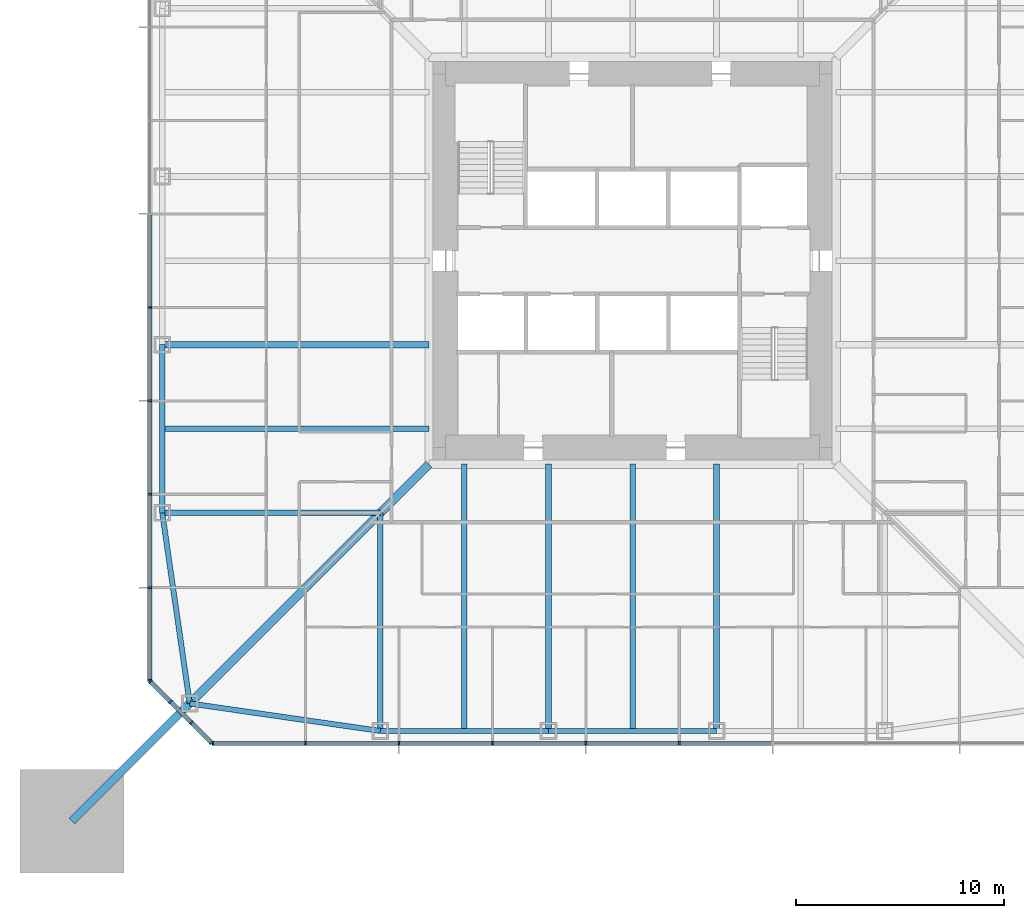
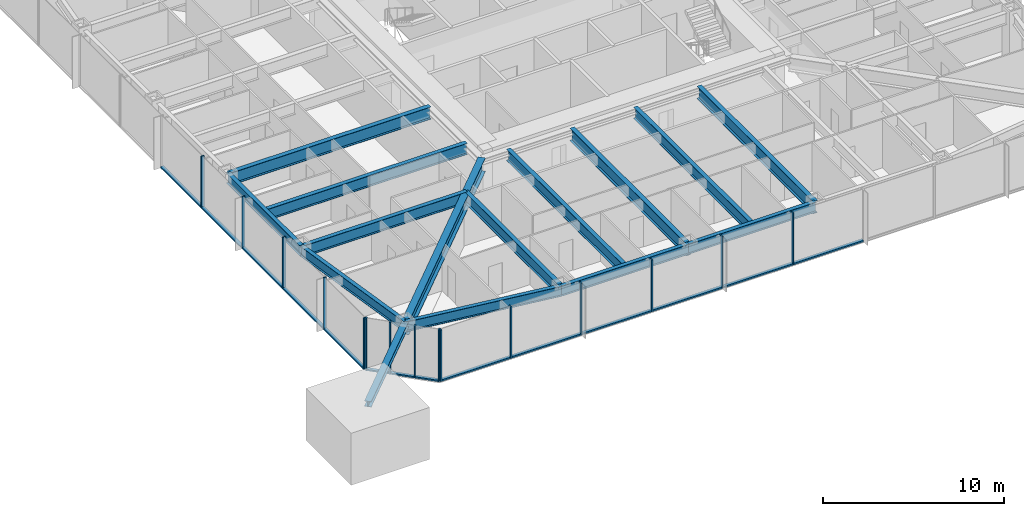
# One storey, part 3 of 26: 30 members, 14 beams, 3 elements without a shape of their own.
"""IFC4 building model written with IfcOpenShell, lengths in metres."""

from ifc_helpers import new_model, si_unit, direction, frame, origin, origin_2d, place, context, subcontext, project, spatial, rectangle, i_section, extrude, material, material_profile, profile_set, type_object, element, aggregate, save


model = new_model("IFC4")

# Units and contexts
model_context = context("Model", 3, precision=1e-05, world=origin(), true_north=direction((0.0, 1.0)))
body_context = subcontext(model_context, "Body", "Model", "MODEL_VIEW")
ifc_project = project(units=[si_unit("LENGTHUNIT", "METRE"), si_unit("AREAUNIT", "SQUARE_METRE"), si_unit("VOLUMEUNIT", "CUBIC_METRE"), si_unit("PLANEANGLEUNIT", "RADIAN"), si_unit("MASSUNIT", "GRAM", prefix="KILO")], contexts=[model_context])

# Site, building, storey
site_placement = place(None, origin())
site = spatial("IfcSite", under=ifc_project, at=site_placement, CompositionType="ELEMENT")
building_placement = place(site_placement, origin())
building = spatial("IfcBuilding", under=site, at=building_placement, Name="Iwan Alto Co-Living Towers", CompositionType="ELEMENT")
storey_placement = place(building_placement, frame((0.0, 0.0, 22.0)))
storey = spatial("IfcBuildingStorey", under=building, at=storey_placement, Name="L05", CompositionType="ELEMENT", Elevation=22.0)

# Curtain wall, members
ifc_material_1 = material(Name="Bronze aluminium unitised frame", Category="aluminium")
curtain_wall_type_1 = type_object("IfcCurtainWallType", Name="CURTAIN WALL CW-A", PredefinedType="NOTDEFINED", material=ifc_material_1)
curtain_wall_1_placement = place(storey_placement, origin())
curtain_wall_1 = element("IfcCurtainWall", 1, at=curtain_wall_1_placement, inside=storey, type_object=curtain_wall_type_1, Name="T1 curtain wall S L05", PredefinedType="NOTDEFINED")
ifc_material_2 = material(Name="Aluminium 6063-T6 bronze anodised", Category="aluminium")
ifc_material_profile_1 = material_profile(ifc_material_2, rectangle(XDim=0.199951171875, YDim=0.080078125, at=origin_2d()), Name="AL 80X200")
ifc_profile_set_1 = profile_set([ifc_material_profile_1], Name="Aluminium 6063-T6 bronze anodised")
member_type_1 = type_object("IfcMemberType", Name="CW-A MULLION 80X200", PredefinedType="MULLION", material=ifc_profile_set_1)
member_1_placement = place(storey_placement, frame((-20.2099609375, -23.25, 0.0), z_axis=(0.0, 0.0, 1.0), x_axis=(0.0, 1.0, 0.0)))
member_1 = element("IfcMember", 2, at=member_1_placement, type_object=member_type_1, Name="CW-A mullion 1", PredefinedType="MULLION", context=body_context, shape_type="SweptSolid", body=[
    extrude(rectangle(XDim=0.199951171875, YDim=0.080078125, at=origin_2d()), origin(), (0.0, 0.0, 1.0), 3.5),
])
member_2_placement = place(storey_placement, frame((-15.75, -23.25, 0.0), z_axis=(0.0, 0.0, 1.0), x_axis=(0.0, 1.0, 0.0)))
member_2 = element("IfcMember", 3, at=member_2_placement, type_object=member_type_1, Name="CW-A mullion 2", PredefinedType="MULLION", context=body_context, shape_type="SweptSolid", body=[
    extrude(rectangle(XDim=0.199951171875, YDim=0.080078125, at=origin_2d()), origin(), (0.0, 0.0, 1.0), 3.5),
])
member_3_placement = place(storey_placement, frame((-11.25, -23.25, 0.0), z_axis=(0.0, 0.0, 1.0), x_axis=(0.0, 1.0, 0.0)))
member_3 = element("IfcMember", 4, at=member_3_placement, type_object=member_type_1, Name="CW-A mullion 3", PredefinedType="MULLION", context=body_context, shape_type="SweptSolid", body=[
    extrude(rectangle(XDim=0.199951171875, YDim=0.080078125, at=origin_2d()), origin(), (0.0, 0.0, 1.0), 3.5),
])
member_4_placement = place(storey_placement, frame((-6.75, -23.25, 0.0), z_axis=(0.0, 0.0, 1.0), x_axis=(0.0, 1.0, 0.0)))
member_4 = element("IfcMember", 5, at=member_4_placement, type_object=member_type_1, Name="CW-A mullion 4", PredefinedType="MULLION", context=body_context, shape_type="SweptSolid", body=[
    extrude(rectangle(XDim=0.199951171875, YDim=0.080078125, at=origin_2d()), origin(), (0.0, 0.0, 1.0), 3.5),
])
member_5_placement = place(storey_placement, frame((-2.25, -23.25, 0.0), z_axis=(0.0, 0.0, 1.0), x_axis=(0.0, 1.0, 0.0)))
member_5 = element("IfcMember", 6, at=member_5_placement, type_object=member_type_1, Name="CW-A mullion 5", PredefinedType="MULLION", context=body_context, shape_type="SweptSolid", body=[
    extrude(rectangle(XDim=0.199951171875, YDim=0.080078125, at=origin_2d()), origin(), (0.0, 0.0, 1.0), 3.5),
])
member_6_placement = place(storey_placement, frame((2.25, -23.25, 0.0), z_axis=(0.0, 0.0, 1.0), x_axis=(0.0, 1.0, 0.0)))
member_6 = element("IfcMember", 7, at=member_6_placement, type_object=member_type_1, Name="CW-A mullion 6", PredefinedType="MULLION", context=body_context, shape_type="SweptSolid", body=[
    extrude(rectangle(XDim=0.199951171875, YDim=0.080078125, at=origin_2d()), origin(), (0.0, 0.0, 1.0), 3.5),
])

curtain_wall_2_placement = place(storey_placement, origin())
curtain_wall_2 = element("IfcCurtainWall", 8, at=curtain_wall_2_placement, inside=storey, type_object=curtain_wall_type_1, Name="T1 curtain wall W L05", PredefinedType="NOTDEFINED")
member_7_placement = place(storey_placement, frame((-23.25, -2.25, 0.0), z_axis=(0.0, 0.0, 1.0), x_axis=(1.0, 0.0, 0.0)))
member_7 = element("IfcMember", 9, at=member_7_placement, type_object=member_type_1, Name="CW-A mullion 6", PredefinedType="MULLION", context=body_context, shape_type="SweptSolid", body=[
    extrude(rectangle(XDim=0.199951171875, YDim=0.080078125, at=origin_2d()), origin(), (0.0, 0.0, 1.0), 3.5),
])
member_8_placement = place(storey_placement, frame((-23.25, -6.75, 0.0), z_axis=(0.0, 0.0, 1.0), x_axis=(1.0, 0.0, 0.0)))
member_8 = element("IfcMember", 10, at=member_8_placement, type_object=member_type_1, Name="CW-A mullion 7", PredefinedType="MULLION", context=body_context, shape_type="SweptSolid", body=[
    extrude(rectangle(XDim=0.199951171875, YDim=0.080078125, at=origin_2d()), origin(), (0.0, 0.0, 1.0), 3.5),
])
member_9_placement = place(storey_placement, frame((-23.25, -11.25, 0.0), z_axis=(0.0, 0.0, 1.0), x_axis=(1.0, 0.0, 0.0)))
member_9 = element("IfcMember", 11, at=member_9_placement, type_object=member_type_1, Name="CW-A mullion 8", PredefinedType="MULLION", context=body_context, shape_type="SweptSolid", body=[
    extrude(rectangle(XDim=0.199951171875, YDim=0.080078125, at=origin_2d()), origin(), (0.0, 0.0, 1.0), 3.5),
])
member_10_placement = place(storey_placement, frame((-23.25, -15.75, 0.0), z_axis=(0.0, 0.0, 1.0), x_axis=(1.0, 0.0, 0.0)))
member_10 = element("IfcMember", 12, at=member_10_placement, type_object=member_type_1, Name="CW-A mullion 9", PredefinedType="MULLION", context=body_context, shape_type="SweptSolid", body=[
    extrude(rectangle(XDim=0.199951171875, YDim=0.080078125, at=origin_2d()), origin(), (0.0, 0.0, 1.0), 3.5),
])
member_11_placement = place(storey_placement, frame((-23.25, -20.2099609375, 0.0), z_axis=(0.0, 0.0, 1.0), x_axis=(1.0, 0.0, 0.0)))
member_11 = element("IfcMember", 13, at=member_11_placement, type_object=member_type_1, Name="CW-A mullion 10", PredefinedType="MULLION", context=body_context, shape_type="SweptSolid", body=[
    extrude(rectangle(XDim=0.199951171875, YDim=0.080078125, at=origin_2d()), origin(), (0.0, 0.0, 1.0), 3.5),
])

# Member
ifc_material_3 = material(Name="Aluminium 6063-T6 bronze anodised", Category="aluminium")
ifc_material_profile_2 = material_profile(ifc_material_3, rectangle(XDim=0.199951171875, YDim=0.10009765625, at=origin_2d()), Name="AL 200X100")
ifc_profile_set_2 = profile_set([ifc_material_profile_2], Name="Aluminium 6063-T6 bronze anodised")
member_type_2 = type_object("IfcMemberType", Name="CW-A TRANSOM 200X100", PredefinedType="USERDEFINED", material=ifc_profile_set_2)
member_12_placement = place(storey_placement, frame((-20.169921875, -23.25, 0.050048828125), z_axis=(1.0, 0.0, 0.0), x_axis=(0.0, 1.0, 0.0)))
member_12 = element("IfcMember", 14, at=member_12_placement, type_object=member_type_2, Name="CW-A transom 1.1", ObjectType="TRANSOM", PredefinedType="USERDEFINED", context=body_context, shape_type="SweptSolid", body=[
    extrude(rectangle(XDim=0.199951171875, YDim=0.10009765625, at=origin_2d()), origin(), (0.0, 0.0, 1.0), 4.3798828125),
])

member_13_placement = place(storey_placement, frame((-15.7099609375, -23.25, 0.050048828125), z_axis=(1.0, 0.0, 0.0), x_axis=(0.0, 1.0, 0.0)))
member_13 = element("IfcMember", 15, at=member_13_placement, type_object=member_type_2, Name="CW-A transom 2.1", ObjectType="TRANSOM", PredefinedType="USERDEFINED", context=body_context, shape_type="SweptSolid", body=[
    extrude(rectangle(XDim=0.199951171875, YDim=0.10009765625, at=origin_2d()), origin(), (0.0, 0.0, 1.0), 4.419921875),
])

member_14_placement = place(storey_placement, frame((-11.2099609375, -23.25, 0.050048828125), z_axis=(1.0, 0.0, 0.0), x_axis=(0.0, 1.0, 0.0)))
member_14 = element("IfcMember", 16, at=member_14_placement, type_object=member_type_2, Name="CW-A transom 3.1", ObjectType="TRANSOM", PredefinedType="USERDEFINED", context=body_context, shape_type="SweptSolid", body=[
    extrude(rectangle(XDim=0.199951171875, YDim=0.10009765625, at=origin_2d()), origin(), (0.0, 0.0, 1.0), 4.419921875),
])

member_15_placement = place(storey_placement, frame((-6.7099609375, -23.25, 0.050048828125), z_axis=(1.0, 0.0, 0.0), x_axis=(0.0, 1.0, 0.0)))
member_15 = element("IfcMember", 17, at=member_15_placement, type_object=member_type_2, Name="CW-A transom 4.1", ObjectType="TRANSOM", PredefinedType="USERDEFINED", context=body_context, shape_type="SweptSolid", body=[
    extrude(rectangle(XDim=0.199951171875, YDim=0.10009765625, at=origin_2d()), origin(), (0.0, 0.0, 1.0), 4.419921875),
])

member_16_placement = place(storey_placement, frame((-2.2099609375, -23.25, 0.050048828125), z_axis=(1.0, 0.0, 0.0), x_axis=(0.0, 1.0, 0.0)))
member_16 = element("IfcMember", 18, at=member_16_placement, type_object=member_type_2, Name="CW-A transom 5.1", ObjectType="TRANSOM", PredefinedType="USERDEFINED", context=body_context, shape_type="SweptSolid", body=[
    extrude(rectangle(XDim=0.199951171875, YDim=0.10009765625, at=origin_2d()), origin(), (0.0, 0.0, 1.0), 4.419921875),
])

member_17_placement = place(storey_placement, frame((2.2900390625, -23.25, 0.050048828125), z_axis=(1.0, 0.0, 0.0), x_axis=(0.0, 1.0, 0.0)))
member_17 = element("IfcMember", 19, at=member_17_placement, type_object=member_type_2, Name="CW-A transom 6.1", ObjectType="TRANSOM", PredefinedType="USERDEFINED", context=body_context, shape_type="SweptSolid", body=[
    extrude(rectangle(XDim=0.199951171875, YDim=0.10009765625, at=origin_2d()), origin(), (0.0, 0.0, 1.0), 4.419921875),
])

aggregate(curtain_wall_1, [member_1, member_2, member_3, member_4, member_5, member_6, member_12, member_13, member_14, member_15, member_16, member_17])

member_18_placement = place(storey_placement, frame((-23.25, 2.2099609375, 0.050048828125), z_axis=(0.0, -1.0, 0.0), x_axis=(1.0, 0.0, 0.0)))
member_18 = element("IfcMember", 20, at=member_18_placement, type_object=member_type_2, Name="CW-A transom 5.1", ObjectType="TRANSOM", PredefinedType="USERDEFINED", context=body_context, shape_type="SweptSolid", body=[
    extrude(rectangle(XDim=0.199951171875, YDim=0.10009765625, at=origin_2d()), origin(), (0.0, 0.0, 1.0), 4.419921875),
])

member_19_placement = place(storey_placement, frame((-23.25, -2.2900390625, 0.050048828125), z_axis=(0.0, -1.0, 0.0), x_axis=(1.0, 0.0, 0.0)))
member_19 = element("IfcMember", 21, at=member_19_placement, type_object=member_type_2, Name="CW-A transom 6.1", ObjectType="TRANSOM", PredefinedType="USERDEFINED", context=body_context, shape_type="SweptSolid", body=[
    extrude(rectangle(XDim=0.199951171875, YDim=0.10009765625, at=origin_2d()), origin(), (0.0, 0.0, 1.0), 4.419921875),
])

member_20_placement = place(storey_placement, frame((-23.25, -6.7900390625, 0.050048828125), z_axis=(0.0, -1.0, 0.0), x_axis=(1.0, 0.0, 0.0)))
member_20 = element("IfcMember", 22, at=member_20_placement, type_object=member_type_2, Name="CW-A transom 7.1", ObjectType="TRANSOM", PredefinedType="USERDEFINED", context=body_context, shape_type="SweptSolid", body=[
    extrude(rectangle(XDim=0.199951171875, YDim=0.10009765625, at=origin_2d()), origin(), (0.0, 0.0, 1.0), 4.419921875),
])

member_21_placement = place(storey_placement, frame((-23.25, -11.2900390625, 0.050048828125), z_axis=(0.0, -1.0, 0.0), x_axis=(1.0, 0.0, 0.0)))
member_21 = element("IfcMember", 23, at=member_21_placement, type_object=member_type_2, Name="CW-A transom 8.1", ObjectType="TRANSOM", PredefinedType="USERDEFINED", context=body_context, shape_type="SweptSolid", body=[
    extrude(rectangle(XDim=0.199951171875, YDim=0.10009765625, at=origin_2d()), origin(), (0.0, 0.0, 1.0), 4.419921875),
])

member_22_placement = place(storey_placement, frame((-23.25, -15.7900390625, 0.050048828125), z_axis=(0.0, -1.0, 0.0), x_axis=(1.0, 0.0, 0.0)))
member_22 = element("IfcMember", 24, at=member_22_placement, type_object=member_type_2, Name="CW-A transom 9.1", ObjectType="TRANSOM", PredefinedType="USERDEFINED", context=body_context, shape_type="SweptSolid", body=[
    extrude(rectangle(XDim=0.199951171875, YDim=0.10009765625, at=origin_2d()), origin(), (0.0, 0.0, 1.0), 4.3798828125),
])

aggregate(curtain_wall_2, [member_7, member_8, member_9, member_10, member_11, member_18, member_19, member_20, member_21, member_22])

# Curtain wall, members
ifc_material_4 = material(Name="Bronze aluminium unitised frame", Category="aluminium")
curtain_wall_type_2 = type_object("IfcCurtainWallType", Name="CURTAIN WALL CW-B", PredefinedType="NOTDEFINED", material=ifc_material_4)
curtain_wall_3_placement = place(storey_placement, origin())
curtain_wall_3 = element("IfcCurtainWall", 25, at=curtain_wall_3_placement, inside=storey, type_object=curtain_wall_type_2, Name="T1 chamfer curtain wall SW L05", PredefinedType="NOTDEFINED")
ifc_material_5 = material(Name="Aluminium 6063-T6 bronze anodised", Category="aluminium")
ifc_material_profile_3 = material_profile(ifc_material_5, rectangle(XDim=0.199951171875, YDim=0.080078125, at=origin_2d()), Name="AL 80X200")
ifc_profile_set_3 = profile_set([ifc_material_profile_3], Name="Aluminium 6063-T6 bronze anodised")
member_type_3 = type_object("IfcMemberType", Name="CW-B MULLION 80X200", PredefinedType="MULLION", material=ifc_profile_set_3)
member_23_placement = place(storey_placement, frame((-23.2216796875, -20.2783203125, 0.0), z_axis=(0.0, 0.0, 1.0), x_axis=(0.707106781187, 0.707106781187, 0.0)))
member_23 = element("IfcMember", 26, at=member_23_placement, type_object=member_type_3, Name="CW-B mullion 1", PredefinedType="MULLION", context=body_context, shape_type="SweptSolid", body=[
    extrude(rectangle(XDim=0.199951171875, YDim=0.080078125, at=origin_2d()), origin(), (0.0, 0.0, 1.0), 3.5),
])
member_24_placement = place(storey_placement, frame((-22.25, -21.25, 0.0), z_axis=(0.0, 0.0, 1.0), x_axis=(0.707106781187, 0.707106781187, 0.0)))
member_24 = element("IfcMember", 27, at=member_24_placement, type_object=member_type_3, Name="CW-B mullion 2", PredefinedType="MULLION", context=body_context, shape_type="SweptSolid", body=[
    extrude(rectangle(XDim=0.199951171875, YDim=0.080078125, at=origin_2d()), origin(), (0.0, 0.0, 1.0), 3.5),
])
member_25_placement = place(storey_placement, frame((-21.25, -22.25, 0.0), z_axis=(0.0, 0.0, 1.0), x_axis=(0.707106781187, 0.707106781187, 0.0)))
member_25 = element("IfcMember", 28, at=member_25_placement, type_object=member_type_3, Name="CW-B mullion 3", PredefinedType="MULLION", context=body_context, shape_type="SweptSolid", body=[
    extrude(rectangle(XDim=0.199951171875, YDim=0.080078125, at=origin_2d()), origin(), (0.0, 0.0, 1.0), 3.5),
])
member_26_placement = place(storey_placement, frame((-20.2783203125, -23.2216796875, 0.0), z_axis=(0.0, 0.0, 1.0), x_axis=(0.707106781187, 0.707106781187, 0.0)))
member_26 = element("IfcMember", 29, at=member_26_placement, type_object=member_type_3, Name="CW-B mullion 4", PredefinedType="MULLION", context=body_context, shape_type="SweptSolid", body=[
    extrude(rectangle(XDim=0.199951171875, YDim=0.080078125, at=origin_2d()), origin(), (0.0, 0.0, 1.0), 3.5),
])
ifc_material_6 = material(Name="Aluminium 6063-T6 bronze anodised", Category="aluminium")
ifc_material_profile_4 = material_profile(ifc_material_6, rectangle(XDim=0.199951171875, YDim=0.10009765625, at=origin_2d()), Name="AL 200X100")
ifc_profile_set_4 = profile_set([ifc_material_profile_4], Name="Aluminium 6063-T6 bronze anodised")
member_type_4 = type_object("IfcMemberType", Name="CW-B TRANSOM 200X100", PredefinedType="USERDEFINED", material=ifc_profile_set_4)
member_27_placement = place(storey_placement, frame((-23.193359375, -20.306640625, 0.050048828125), z_axis=(0.707106781187, -0.707106781187, 0.0), x_axis=(0.707106781187, 0.707106781187, 0.0)))
member_27 = element("IfcMember", 30, at=member_27_placement, type_object=member_type_4, Name="CW-B transom 1.1", ObjectType="TRANSOM", PredefinedType="USERDEFINED", context=body_context, shape_type="SweptSolid", body=[
    extrude(rectangle(XDim=0.199951171875, YDim=0.10009765625, at=origin_2d()), origin(), (0.0, 0.0, 1.0), 1.2939453125),
])
member_28_placement = place(storey_placement, frame((-22.2216796875, -21.2783203125, 0.050048828125), z_axis=(0.707106781187, -0.707106781187, 0.0), x_axis=(0.707106781187, 0.707106781187, 0.0)))
member_28 = element("IfcMember", 31, at=member_28_placement, type_object=member_type_4, Name="CW-B transom 2.1", ObjectType="TRANSOM", PredefinedType="USERDEFINED", context=body_context, shape_type="SweptSolid", body=[
    extrude(rectangle(XDim=0.199951171875, YDim=0.10009765625, at=origin_2d()), origin(), (0.0, 0.0, 1.0), 1.334228515625),
])
member_29_placement = place(storey_placement, frame((-21.2216796875, -22.2783203125, 0.050048828125), z_axis=(0.707106781187, -0.707106781187, 0.0), x_axis=(0.707106781187, 0.707106781187, 0.0)))
member_29 = element("IfcMember", 32, at=member_29_placement, type_object=member_type_4, Name="CW-B transom 3.1", ObjectType="TRANSOM", PredefinedType="USERDEFINED", context=body_context, shape_type="SweptSolid", body=[
    extrude(rectangle(XDim=0.199951171875, YDim=0.10009765625, at=origin_2d()), origin(), (0.0, 0.0, 1.0), 1.2939453125),
])
aggregate(curtain_wall_3, [member_23, member_24, member_25, member_26, member_27, member_28, member_29])

# Beams
ifc_material_7 = material(Name="Steel ASTM A992 Gr 50", Category="steel")
ifc_material_profile_5 = material_profile(ifc_material_7, i_section(OverallWidth=0.419189453125, OverallDepth=0.927001953125, WebThickness=0.019287109375, FlangeThickness=0.031982421875, at=origin_2d()), Name="W36X231")
ifc_profile_set_5 = profile_set([ifc_material_profile_5], Name="Steel ASTM A992 Gr 50")
beam_type_1 = type_object("IfcBeamType", Name="T1 CORNER GIRDER W36X231", PredefinedType="BEAM", material=ifc_profile_set_5)
beam_1_placement = place(storey_placement, frame((-21.32568359375, -21.32568359375, 2.806396484375), z_axis=(0.707106781187, 0.707106781187, 0.0), x_axis=(-0.707106781187, 0.707106781187, 0.0)))
element("IfcBeam", 33, at=beam_1_placement, inside=storey, type_object=beam_type_1, Name="T1 corner girder CSW L06", PredefinedType="BEAM", context=body_context, shape_type="SweptSolid", body=[
    extrude(i_section(OverallWidth=0.419189453125, OverallDepth=0.927001953125, WebThickness=0.019287109375, FlangeThickness=0.031982421875, at=origin_2d()), origin(), (0.0, 0.0, 1.0), 16.296875),
])
ifc_material_8 = material(Name="Steel ASTM A992 Gr 50", Category="steel")
ifc_material_profile_6 = material_profile(ifc_material_8, i_section(OverallWidth=0.25390625, OverallDepth=0.683349609375, WebThickness=0.012451171875, FlangeThickness=0.018798828125, at=origin_2d()), Name="W27X94")
ifc_profile_set_6 = profile_set([ifc_material_profile_6], Name="Steel ASTM A992 Gr 50")
beam_type_2 = type_object("IfcBeamType", Name="T1 EDGE BEAM W27X94", PredefinedType="BEAM", material=ifc_profile_set_6)
beam_2_placement = place(storey_placement, frame((-21.32568359375, -21.32568359375, 2.928466796875), z_axis=(0.989746234347, -0.142836940589, 0.0), x_axis=(0.142836940589, 0.989746234347, 0.0)))
element("IfcBeam", 34, at=beam_2_placement, inside=storey, type_object=beam_type_2, Name="T1 edge beam CSW L06", PredefinedType="BEAM", context=body_context, shape_type="SweptSolid", body=[
    extrude(i_section(OverallWidth=0.25390625, OverallDepth=0.683349609375, WebThickness=0.012451171875, FlangeThickness=0.018798828125, at=origin_2d()), origin(), (0.0, 0.0, 1.0), 9.270751953125),
])
beam_3_placement = place(storey_placement, frame((-12.14990234375, -22.64990234375, 2.928466796875), z_axis=(1.0, 0.0, 0.0), x_axis=(0.0, 1.0, 0.0)))
element("IfcBeam", 35, at=beam_3_placement, inside=storey, type_object=beam_type_2, Name="T1 edge beam S1 L06", PredefinedType="BEAM", context=body_context, shape_type="SweptSolid", body=[
    extrude(i_section(OverallWidth=0.25390625, OverallDepth=0.683349609375, WebThickness=0.012451171875, FlangeThickness=0.018798828125, at=origin_2d()), origin(), (0.0, 0.0, 1.0), 8.099853515625),
])
beam_4_placement = place(storey_placement, frame((-4.050048828125, -22.64990234375, 2.928466796875), z_axis=(1.0, 0.0, 0.0), x_axis=(0.0, 1.0, 0.0)))
element("IfcBeam", 36, at=beam_4_placement, inside=storey, type_object=beam_type_2, Name="T1 edge beam S2 L06", PredefinedType="BEAM", context=body_context, shape_type="SweptSolid", body=[
    extrude(i_section(OverallWidth=0.25390625, OverallDepth=0.683349609375, WebThickness=0.012451171875, FlangeThickness=0.018798828125, at=origin_2d()), origin(), (0.0, 0.0, 1.0), 8.10009765625),
])
beam_5_placement = place(storey_placement, frame((-22.64990234375, -4.050048828125, 2.928466796875), z_axis=(0.0, -1.0, 0.0), x_axis=(1.0, 0.0, 0.0)))
element("IfcBeam", 37, at=beam_5_placement, inside=storey, type_object=beam_type_2, Name="T1 edge beam W3 L06", PredefinedType="BEAM", context=body_context, shape_type="SweptSolid", body=[
    extrude(i_section(OverallWidth=0.25390625, OverallDepth=0.683349609375, WebThickness=0.012451171875, FlangeThickness=0.018798828125, at=origin_2d()), origin(), (0.0, 0.0, 1.0), 8.099853515625),
])
beam_6_placement = place(storey_placement, frame((-22.64990234375, -12.14990234375, 2.928466796875), z_axis=(0.142836940589, -0.989746234347, 0.0), x_axis=(0.989746234347, 0.142836940589, 0.0)))
element("IfcBeam", 38, at=beam_6_placement, inside=storey, type_object=beam_type_2, Name="T1 edge beam W4 L06", PredefinedType="BEAM", context=body_context, shape_type="SweptSolid", body=[
    extrude(i_section(OverallWidth=0.25390625, OverallDepth=0.683349609375, WebThickness=0.012451171875, FlangeThickness=0.018798828125, at=origin_2d()), origin(), (0.0, 0.0, 1.0), 9.270751953125),
])

# Member
ifc_material_9 = material(Name="Steel ASTM A992 Gr 50", Category="steel")
ifc_material_profile_7 = material_profile(ifc_material_9, i_section(OverallWidth=0.393798828125, OverallDepth=0.3759765625, WebThickness=0.017333984375, FlangeThickness=0.027587890625, at=origin_2d()), Name="W14X145")
ifc_profile_set_7 = profile_set([ifc_material_profile_7], Name="Steel ASTM A992 Gr 50")
member_type_5 = type_object("IfcMemberType", Name="T1 MEGA COLUMN FLOOR TIE W14X145", PredefinedType="STRUT", material=ifc_profile_set_7)
member_30_placement = place(storey_placement, frame((-27.0, -27.0, 3.08203125), z_axis=(0.707106781187, 0.707106781187, 0.0), x_axis=(-0.707106781187, 0.707106781187, 0.0)))
element("IfcMember", 39, at=member_30_placement, inside=storey, type_object=member_type_5, Name="T1 mega column floor tie SW L06", PredefinedType="STRUT", context=body_context, shape_type="SweptSolid", body=[
    extrude(i_section(OverallWidth=0.393798828125, OverallDepth=0.3759765625, WebThickness=0.017333984375, FlangeThickness=0.027587890625, at=origin_2d()), origin(), (0.0, 0.0, 1.0), 8.024658203125),
])

# Beams
ifc_material_10 = material(Name="Steel ASTM A992 Gr 50", Category="steel")
ifc_material_profile_8 = material_profile(ifc_material_10, i_section(OverallWidth=0.2666015625, OverallDepth=0.761962890625, WebThickness=0.014404296875, FlangeThickness=0.021484375, at=origin_2d()), Name="W30X116")
ifc_profile_set_8 = profile_set([ifc_material_profile_8], Name="Steel ASTM A992 Gr 50")
beam_type_3 = type_object("IfcBeamType", Name="T1 RADIAL BEAM W30X116", PredefinedType="BEAM", material=ifc_profile_set_8)
for number, where, z_axis, x_axis, name in (
    (40, (-12.14990234375, -22.64990234375, 2.888916015625), (0.0, 1.0, 0.0), (-1.0, 0.0, 0.0), "T1 radial beam S1 L06"),
    (41, (-22.64990234375, -12.14990234375, 2.888916015625), (1.0, 0.0, 0.0), (0.0, 1.0, 0.0), "T1 radial beam W4 L06"),
):
    element("IfcBeam", number, at=place(storey_placement, frame(where, z_axis=z_axis, x_axis=x_axis)), inside=storey, type_object=beam_type_3, Name=name, PredefinedType="BEAM", context=body_context, shape_type="SweptSolid", body=[
        extrude(i_section(OverallWidth=0.2666015625, OverallDepth=0.761962890625, WebThickness=0.014404296875, FlangeThickness=0.021484375, at=origin_2d()), origin(), (0.0, 0.0, 1.0), 10.5),
    ])
ifc_material_11 = material(Name="Steel ASTM A992 Gr 50", Category="steel")
ifc_material_profile_9 = material_profile(ifc_material_11, i_section(OverallWidth=0.2919921875, OverallDepth=0.8408203125, WebThickness=0.0146484375, FlangeThickness=0.021728515625, at=origin_2d()), Name="W33X130")
ifc_profile_set_9 = profile_set([ifc_material_profile_9], Name="Steel ASTM A992 Gr 50")
beam_type_4 = type_object("IfcBeamType", Name="T1 RADIAL BEAM W33X130", PredefinedType="BEAM", material=ifc_profile_set_9)
for number, where, z_axis, x_axis, name in (
    (42, (-4.050048828125, -22.64990234375, 2.849609375), (0.0, 1.0, 0.0), (-1.0, 0.0, 0.0), "T1 radial beam S2 L06"),
    (43, (4.050048828125, -22.64990234375, 2.849609375), (0.0, 1.0, 0.0), (-1.0, 0.0, 0.0), "T1 radial beam S3 L06"),
    (44, (-22.64990234375, -4.050048828125, 2.849609375), (1.0, 0.0, 0.0), (0.0, 1.0, 0.0), "T1 radial beam W3 L06"),
):
    element("IfcBeam", number, at=place(storey_placement, frame(where, z_axis=z_axis, x_axis=x_axis)), inside=storey, type_object=beam_type_4, Name=name, PredefinedType="BEAM", context=body_context, shape_type="SweptSolid", body=[
        extrude(i_section(OverallWidth=0.2919921875, OverallDepth=0.8408203125, WebThickness=0.0146484375, FlangeThickness=0.021728515625, at=origin_2d()), origin(), (0.0, 0.0, 1.0), 12.847900390625),
    ])
ifc_material_12 = material(Name="Steel ASTM A992 Gr 50", Category="steel")
ifc_material_profile_10 = material_profile(ifc_material_12, i_section(OverallWidth=0.2666015625, OverallDepth=0.761962890625, WebThickness=0.014404296875, FlangeThickness=0.021484375, at=origin_2d()), Name="W30X116")
ifc_profile_set_10 = profile_set([ifc_material_profile_10], Name="Steel ASTM A992 Gr 50")
beam_type_5 = type_object("IfcBeamType", Name="T1 SECONDARY BEAM W30X116", PredefinedType="JOIST", material=ifc_profile_set_10)
for number, where, z_axis, x_axis, name in (
    (45, (-8.10009765625, -22.64990234375, 2.888916015625), (0.0, 1.0, 0.0), (-1.0, 0.0, 0.0), "T1 secondary beam S1 L06"),
    (46, (0.0, -22.64990234375, 2.888916015625), (0.0, 1.0, 0.0), (-1.0, 0.0, 0.0), "T1 secondary beam S2 L06"),
    (47, (-22.64990234375, -8.10009765625, 2.888916015625), (1.0, 0.0, 0.0), (0.0, 1.0, 0.0), "T1 secondary beam W3 L06"),
):
    element("IfcBeam", number, at=place(storey_placement, frame(where, z_axis=z_axis, x_axis=x_axis)), inside=storey, type_object=beam_type_5, Name=name, PredefinedType="JOIST", context=body_context, shape_type="SweptSolid", body=[
        extrude(i_section(OverallWidth=0.2666015625, OverallDepth=0.761962890625, WebThickness=0.014404296875, FlangeThickness=0.021484375, at=origin_2d()), origin(), (0.0, 0.0, 1.0), 12.847900390625),
    ])

save(model, "model.ifc")
